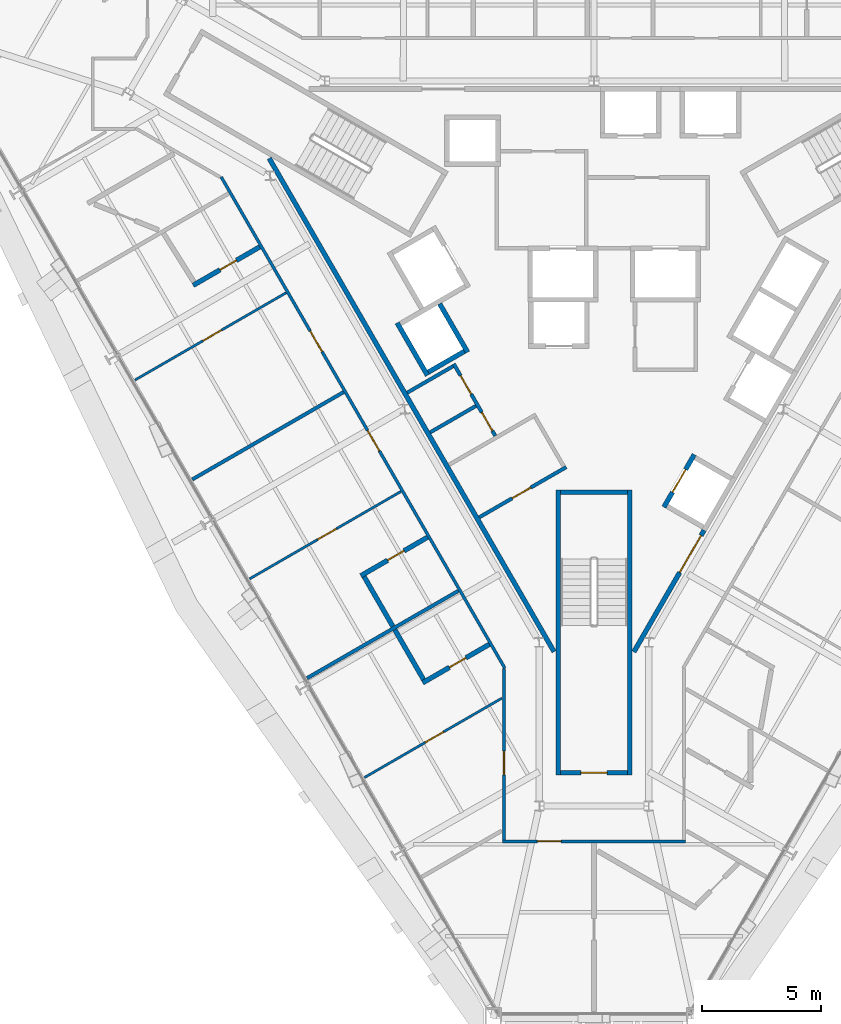
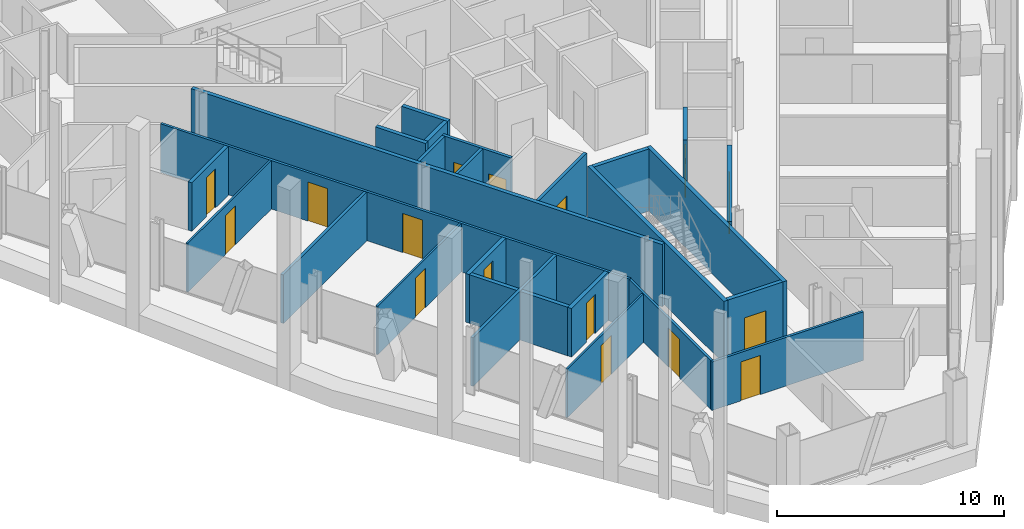
# One storey, part 10 of 16: 27 walls, 16 doors, 16 openings.
"""IFC4 building model written with IfcOpenShell, lengths in metres."""

import ifcopenshell
import ifcopenshell.guid

model = None  # the IFC model being written
_history = None  # IfcOwnerHistory: only IFC2X3 demands one
_inside = {}  # id of a spatial element -> (the spatial element, [elements in it])
_under = {}  # id of a project, library or spatial element -> (it, [spatial elements below it])
_declared = {}  # id of a project -> (the project, [libraries it declares])
_typed = {}  # id of a type object -> (the type object, [elements of that type])
_made_of = {}  # id of a material, layer set ... -> (it, [elements and type objects made of it])


def new_model(schema):
    """Start an empty IFC model of exactly this schema.

    Asked for "IFC4X3", IfcOpenShell would pick the latest addendum, in which some entities
    have other attributes; the version numbers below select the first issue.
    IFC2X3 requires an IfcOwnerHistory on every rooted entity: one is made here for all.
    """
    global model, _history
    if schema == "IFC4X3":
        model = ifcopenshell.file(schema_version=(4, 3, 0, 0))
    else:
        model = ifcopenshell.file(schema=schema)
    _inside.clear()
    _under.clear()
    _declared.clear()
    _typed.clear()
    _made_of.clear()
    _history = None
    if model.schema == "IFC2X3":
        org = make("IfcOrganization", Name="unknown")
        user = make(
            "IfcPersonAndOrganization",
            ThePerson=make("IfcPerson", FamilyName="unknown"),
            TheOrganization=org,
        )
        app = make(
            "IfcApplication",
            ApplicationDeveloper=org,
            Version="unknown",
            ApplicationFullName="unknown",
            ApplicationIdentifier="unknown",
        )
        _history = make(
            "IfcOwnerHistory",
            OwningUser=user,
            OwningApplication=app,
            ChangeAction="ADDED",
            CreationDate=0,
        )
    return model


def make(cls, **values):
    """One entity of the class cls with the attributes given. An attribute that is None is left unset."""
    return model.create_entity(
        cls, **{name: value for name, value in values.items() if value is not None}
    )


def rooted(cls, **values):
    """An entity with a GlobalId (a new one), such as an element, a storey or a relation."""
    return make(cls, GlobalId=ifcopenshell.guid.new(), OwnerHistory=_history, **values)


def si_unit(unit_type, name, prefix=None):
    """IfcSIUnit, for example si_unit("LENGTHUNIT", "METRE", prefix="MILLI")."""
    return make("IfcSIUnit", UnitType=unit_type, Prefix=prefix, Name=name)


def assignment(units):
    """IfcUnitAssignment: the units of a project."""
    return None if units is None else make("IfcUnitAssignment", Units=units)


def point(xyz):
    """IfcCartesianPoint."""
    return None if xyz is None else make("IfcCartesianPoint", Coordinates=xyz)


def direction(xyz):
    """IfcDirection."""
    return None if xyz is None else make("IfcDirection", DirectionRatios=xyz)


def frame(location, z_axis=None, x_axis=None):
    """IfcAxis2Placement3D, a coordinate frame: its origin and axes. An axis left out is left unset."""
    return make(
        "IfcAxis2Placement3D",
        Location=point(location),
        Axis=direction(z_axis),
        RefDirection=direction(x_axis),
    )


def frame_2d(location, x_axis=None):
    """IfcAxis2Placement2D, a coordinate frame in the plane: its origin and x axis."""
    return make(
        "IfcAxis2Placement2D", Location=point(location), RefDirection=direction(x_axis)
    )


def origin():
    """The frame at (0, 0, 0) with its axes left unset."""
    return frame((0.0, 0.0, 0.0))


def place(relative_to, where):
    """IfcLocalPlacement: puts the frame where relative to a parent placement (None: the world)."""
    return make(
        "IfcLocalPlacement", PlacementRelTo=relative_to, RelativePlacement=where
    )


def context(
    kind, dimensions, precision=None, world=None, true_north=None, identifier=None
):
    """IfcGeometricRepresentationContext, for example the 3D "Model" context."""
    return make(
        "IfcGeometricRepresentationContext",
        ContextIdentifier=identifier,
        ContextType=kind,
        CoordinateSpaceDimension=dimensions,
        Precision=precision,
        WorldCoordinateSystem=world,
        TrueNorth=true_north,
    )


def subcontext(parent, identifier, kind, view, scale=None):
    """IfcGeometricRepresentationSubContext, for example "Body" below "Model"."""
    return make(
        "IfcGeometricRepresentationSubContext",
        ContextIdentifier=identifier,
        ContextType=kind,
        ParentContext=parent,
        TargetScale=scale,
        TargetView=view,
    )


def project(units=None, contexts=None):
    """IfcProject with its units and contexts."""
    return rooted(
        "IfcProject",
        Name="project",
        RepresentationContexts=contexts,
        UnitsInContext=assignment(units),
    )


def spatial(cls, under=None, at=None, **own):
    """A site, building, storey or space (cls), placed at a placement, below another one or the project."""
    s = rooted(cls, ObjectPlacement=at, **own)
    if under is not None:
        _under.setdefault(under.id(), (under, []))[1].append(s)
    return s


def profile(cls, at=None, kind="AREA", **sizes):
    """A parametric profile (cls). Its sizes go by their IFC names, for example OverallWidth=200.0."""
    return make(cls, ProfileType=kind, Position=at, **sizes)


def rectangle(**sizes):
    """IfcRectangleProfileDef."""
    return profile("IfcRectangleProfileDef", **sizes)


def extrude(swept, where, along, depth):
    """IfcExtrudedAreaSolid: the profile swept, set in the frame where, extruded along a direction by depth."""
    return make(
        "IfcExtrudedAreaSolid",
        SweptArea=swept,
        Position=where,
        ExtrudedDirection=direction(along),
        Depth=depth,
    )


def shape(context_of_items, identifier, shape_type, items):
    """IfcShapeRepresentation: the items that make up one representation, for example the "Body"."""
    return make(
        "IfcShapeRepresentation",
        ContextOfItems=context_of_items,
        RepresentationIdentifier=identifier,
        RepresentationType=shape_type,
        Items=items,
    )


def material(Name=None, Category=None):
    """IfcMaterial."""
    return make("IfcMaterial", Name=Name, Category=Category)


def layer(
    of_material, thickness, ventilated=None, Name=None, Category=None, Priority=None
):
    """IfcMaterialLayer: one layer of a wall or slab, of a material (None: an air gap)."""
    return make(
        "IfcMaterialLayer",
        Material=of_material,
        LayerThickness=thickness,
        IsVentilated=ventilated,
        Name=Name,
        Category=Category,
        Priority=Priority,
    )


def layer_set(layers, Name=None):
    """IfcMaterialLayerSet."""
    return make("IfcMaterialLayerSet", MaterialLayers=layers, LayerSetName=Name)


def made_of(thing, what):
    """Note that an element or type object is made of a material, layer set ...; save() writes the relation."""
    if what is not None:
        _made_of.setdefault(what.id(), (what, []))[1].append(thing)
    return thing


def type_object(cls, material=None, **own):
    """A type object (cls), such as IfcWallType, which elements share."""
    return made_of(rooted(cls, **own), material)


def element(
    cls,
    number,
    at=None,
    inside=None,
    cuts=None,
    type_object=None,
    material=None,
    context=None,
    identifier="Body",
    shape_type=None,
    held_by="IfcProductDefinitionShape",
    body=None,
    shapes=None,
    **own,
):
    """One element of the class cls, such as IfcWall. Its Tag is "e" and its number.

    at: its placement. inside: the storey or other place that contains it. cuts: it is an
    opening in that element (IfcRelVoidsElement). A single representation is given by context,
    identifier, shape_type and body (its items); several are given by shapes. held_by: the class
    of the entity that holds the representations. save() writes the other relations.
    """
    e = rooted(cls, Tag="e%d" % number, ObjectPlacement=at, **own)
    if body is not None:
        shapes = [shape(context, identifier, shape_type, body)]
    if shapes is not None:
        e.Representation = make(held_by, Representations=shapes)
    if inside is not None:
        _inside.setdefault(inside.id(), (inside, []))[1].append(e)
    if cuts is not None:
        rooted(
            "IfcRelVoidsElement", RelatingBuildingElement=cuts, RelatedOpeningElement=e
        )
    if type_object is not None:
        _typed.setdefault(type_object.id(), (type_object, []))[1].append(e)
    return made_of(e, material)


def fill(opening, filler):
    """IfcRelFillsElement: the door or window that sits in an opening."""
    return rooted(
        "IfcRelFillsElement",
        RelatingOpeningElement=opening,
        RelatedBuildingElement=filler,
    )


def aggregate(whole, parts):
    """IfcRelAggregates: a whole, such as a stair, and the parts it consists of."""
    return rooted("IfcRelAggregates", RelatingObject=whole, RelatedObjects=parts)


def save(model, path):
    """Write the relations noted so far, then the file.

    IfcRelAggregates (storeys below a building ...), IfcRelContainedInSpatialStructure (elements
    in a storey), IfcRelDefinesByType, IfcRelAssociatesMaterial and IfcRelDeclares: one each for
    every whole, place, type object, material and project.
    """
    for whole, parts in _under.values():
        aggregate(whole, parts)
    for where, things in _inside.values():
        rooted(
            "IfcRelContainedInSpatialStructure",
            RelatedElements=things,
            RelatingStructure=where,
        )
    for kind, things in _typed.values():
        rooted("IfcRelDefinesByType", RelatedObjects=things, RelatingType=kind)
    for what, things in _made_of.values():
        rooted("IfcRelAssociatesMaterial", RelatedObjects=things, RelatingMaterial=what)
    for by, libraries in _declared.values():
        rooted("IfcRelDeclares", RelatingContext=by, RelatedDefinitions=libraries)
    model.write(path)


model = new_model("IFC4")

# Units and contexts
model_context = context("Model", 3, precision=1e-05, world=origin(), true_north=direction((0.0, 1.0)))
body_context = subcontext(model_context, "Body", "Model", "MODEL_VIEW")
ifc_project = project(units=[si_unit("LENGTHUNIT", "METRE"), si_unit("AREAUNIT", "SQUARE_METRE"), si_unit("VOLUMEUNIT", "CUBIC_METRE"), si_unit("PLANEANGLEUNIT", "RADIAN"), si_unit("MASSUNIT", "GRAM", prefix="KILO")], contexts=[model_context])

# Site, building, storey
site_placement = place(None, origin())
site = spatial("IfcSite", under=ifc_project, at=site_placement, CompositionType="ELEMENT")
building_placement = place(site_placement, origin())
building = spatial("IfcBuilding", under=site, at=building_placement, Name="Verrane Prism Tower", CompositionType="ELEMENT")
storey_placement = place(building_placement, frame((0.0, 0.0, 103.60009765625)))
storey = spatial("IfcBuildingStorey", under=building, at=storey_placement, Name="L24", CompositionType="ELEMENT", Elevation=103.60009765625)

# Wall
ifc_material_1 = material(Name="Gypsum board partition", Category="other")
ifc_layer_1 = layer(ifc_material_1, 0.199951171875)
ifc_layer_set_1 = layer_set([ifc_layer_1], Name="CW-200 core boundary wall 2 h")
wall_type_1 = type_object("IfcWallType", Name="CW-200 core boundary wall 2 h", PredefinedType="PARTITIONING", material=ifc_layer_set_1)
wall_1_placement = place(storey_placement, frame((-13.66357421875, 5.946044921875, 0.0), z_axis=(0.0, 0.0, 1.0), x_axis=(0.499994327219, -0.866028678941, 0.0)))
element("IfcWall", 1, at=wall_1_placement, inside=storey, type_object=wall_type_1, Name="Core boundary wall CW3-001", PredefinedType="PARTITIONING", context=body_context, shape_type="SweptSolid", body=[
    extrude(rectangle(XDim=23.967529296875, YDim=0.199951171875, at=frame_2d((11.98388671875, 0.0))), origin(), (0.0, 0.0, 1.0), 3.349853515625),
])

# Wall, opening, door
wall_2_placement = place(storey_placement, frame((1.677490234375, -14.814697265625, 0.0), z_axis=(0.0, 0.0, 1.0), x_axis=(0.49999445743, 0.866028603765, 0.0)))
wall_2 = element("IfcWall", 2, at=wall_2_placement, inside=storey, type_object=wall_type_1, Name="Core boundary wall CW3-003", PredefinedType="PARTITIONING", context=body_context, shape_type="SweptSolid", body=[
    extrude(rectangle(XDim=5.90478515625, YDim=0.199951171875, at=frame_2d((2.952392578125, 0.0))), origin(), (0.0, 0.0, 1.0), 3.349853515625),
])
opening_1_placement = place(wall_2_placement, frame((3.85498046875, 0.0, 0.0)))
opening_1 = element("IfcOpeningElement", 3, at=opening_1_placement, cuts=wall_2, Name="Opening D24517", PredefinedType="OPENING", context=body_context, shape_type="SweptSolid", body=[
    extrude(rectangle(XDim=1.800048828125, YDim=2.10009765625, at=frame_2d((0.89990234375, 1.050048828125))), frame((0.0, 0.10986328125, 0.0), z_axis=(0.0, -1.0, 0.0), x_axis=(1.0, 0.0, 0.0)), (0.0, 0.0, 1.0), 0.219970703125),
])
ifc_material_2 = material(Name="Timber veneered door leaf", Category="wood")
door_type_1 = type_object("IfcDoorType", Name="DR-1800x2100 FD60 double leaf lift lobby", OperationType="NOTDEFINED", PredefinedType="DOOR", material=ifc_material_2)
door_1_placement = place(opening_1_placement, origin())
door_1 = element("IfcDoor", 4, at=door_1_placement, inside=storey, type_object=door_type_1, Name="Lift lobby door D24517", OperationType="DOUBLE_DOOR_SINGLE_SWING", OverallHeight=2.10009765625, OverallWidth=1.800048828125, PredefinedType="DOOR", context=body_context, shape_type="SweptSolid", body=[
    extrude(rectangle(XDim=1.800048828125, YDim=2.10009765625, at=frame_2d((0.89990234375, 1.050048828125))), frame((0.0, 0.02490234375, 0.0), z_axis=(0.0, -1.0, 0.0), x_axis=(1.0, 0.0, 0.0)), (0.0, 0.0, 1.0), 0.050048828125),
])
fill(opening_1, door_1)

ifc_material_3 = material(Name="Concrete C40/50", Category="concrete")
ifc_layer_2 = layer(ifc_material_3, 0.199951171875)
ifc_layer_set_2 = layer_set([ifc_layer_2], Name="CW-200 stair core wall concrete C40/50 3 h")
wall_type_2 = type_object("IfcWallType", Name="CW-200 stair core wall concrete C40/50 3 h", PredefinedType="PARTITIONING", material=ifc_layer_set_2)
wall_3_placement = place(storey_placement, frame((-1.39990234375, -19.89990234375, 0.0), z_axis=(0.0, 0.0, 1.0), x_axis=(1.0, 0.0, 0.0)))
wall_3 = element("IfcWall", 5, at=wall_3_placement, inside=storey, type_object=wall_type_2, Name="Stair 3 enclosure wall", PredefinedType="PARTITIONING", context=body_context, shape_type="SweptSolid", body=[
    extrude(rectangle(XDim=2.7998046875, YDim=0.199951171875, at=frame_2d((1.39990234375, 0.0))), origin(), (0.0, 0.0, 1.0), 3.349853515625),
])
opening_2_placement = place(wall_3_placement, frame((0.85009765625, 0.0, 0.0)))
opening_2 = element("IfcOpeningElement", 6, at=opening_2_placement, cuts=wall_3, Name="Opening D24502", PredefinedType="OPENING", context=body_context, shape_type="SweptSolid", body=[
    extrude(rectangle(XDim=1.10009765625, YDim=2.10009765625, at=frame_2d((0.550048828125, 1.050048828125))), frame((0.0, 0.10986328125, 0.0), z_axis=(0.0, -1.0, 0.0), x_axis=(1.0, 0.0, 0.0)), (0.0, 0.0, 1.0), 0.219970703125),
])
ifc_material_4 = material(Name="Timber veneered door leaf", Category="wood")
door_type_2 = type_object("IfcDoorType", Name="DR-1100x2100 FD90 single leaf stair", OperationType="NOTDEFINED", PredefinedType="DOOR", material=ifc_material_4)
door_2_placement = place(opening_2_placement, origin())
door_2 = element("IfcDoor", 7, at=door_2_placement, inside=storey, type_object=door_type_2, Name="Stair 3 door", OperationType="SINGLE_SWING_LEFT", OverallHeight=2.10009765625, OverallWidth=1.10009765625, PredefinedType="DOOR", context=body_context, shape_type="SweptSolid", body=[
    extrude(rectangle(XDim=1.10009765625, YDim=2.10009765625, at=frame_2d((0.550048828125, 1.050048828125))), frame((0.0, 0.02490234375, 0.0), z_axis=(0.0, -1.0, 0.0), x_axis=(1.0, 0.0, 0.0)), (0.0, 0.0, 1.0), 0.050048828125),
])
fill(opening_2, door_2)

# Walls
for number, where, z_axis, x_axis, name in (
    (8, (1.5, -8.0, 0.0), (0.0, 0.0, 1.0), (0.0, -1.0, 0.0), "Stair 3 enclosure wall"),
    (9, (-1.5, -8.0, 0.0), (0.0, 0.0, 1.0), (0.0, -1.0, 0.0), "Stair 3 enclosure wall"),
):
    element("IfcWall", number, at=place(storey_placement, frame(where, z_axis=z_axis, x_axis=x_axis)), inside=storey, type_object=wall_type_2, Name=name, PredefinedType="PARTITIONING", context=body_context, shape_type="SweptSolid", body=[
        extrude(rectangle(XDim=12.0, YDim=0.199951171875, at=frame_2d((6.0, 0.0))), origin(), (0.0, 0.0, 1.0), 3.349853515625),
    ])
wall_4_placement = place(storey_placement, frame((-1.39990234375, -8.10009765625, 0.0), z_axis=(0.0, 0.0, 1.0), x_axis=(1.0, 0.0, 0.0)))
element("IfcWall", 10, at=wall_4_placement, inside=storey, type_object=wall_type_2, Name="Stair 3 enclosure wall", PredefinedType="PARTITIONING", context=body_context, shape_type="SweptSolid", body=[
    extrude(rectangle(XDim=2.7998046875, YDim=0.199951171875, at=frame_2d((1.39990234375, 0.0))), origin(), (0.0, 0.0, 1.0), 3.349853515625),
])
ifc_material_5 = material(Name="Gypsum board shaft wall assembly", Category="other")
ifc_layer_3 = layer(ifc_material_5, 0.199951171875)
ifc_layer_set_3 = layer_set([ifc_layer_3], Name="HW-200 lift shaft wall 2 h")
wall_type_3 = type_object("IfcWallType", Name="HW-200 lift shaft wall 2 h", PredefinedType="PARTITIONING", material=ifc_layer_set_3)
wall_5_placement = place(storey_placement, frame((-6.9697265625, -3.048095703125, 0.0), z_axis=(0.0, 0.0, 1.0), x_axis=(0.866036909293, 0.499980071345, 0.0)))
element("IfcWall", 11, at=wall_5_placement, inside=storey, type_object=wall_type_3, Name="Lift shaft wall", PredefinedType="PARTITIONING", context=body_context, shape_type="SweptSolid", body=[
    extrude(rectangle(XDim=1.75, YDim=0.199951171875, at=frame_2d((0.875, 0.0))), origin(), (0.0, 0.0, 1.0), 3.599853515625),
])

# Wall, opening, door
wall_6_placement = place(storey_placement, frame((2.941650390625, -8.724853515625, 0.0), z_axis=(0.0, 0.0, 1.0), x_axis=(0.500020783669, 0.866013403995, 0.0)))
wall_6 = element("IfcWall", 12, at=wall_6_placement, inside=storey, type_object=wall_type_3, Name="Lift shaft wall", PredefinedType="PARTITIONING", context=body_context, shape_type="SweptSolid", body=[
    extrude(rectangle(XDim=2.55029296875, YDim=0.199951171875, at=frame_2d((1.275146484375, 0.0))), origin(), (0.0, 0.0, 1.0), 3.599853515625),
])
opening_3_placement = place(wall_6_placement, frame((0.72509765625, 0.0, 0.0)))
opening_3 = element("IfcOpeningElement", 13, at=opening_3_placement, cuts=wall_6, Name="Opening D24506", PredefinedType="OPENING", context=body_context, shape_type="SweptSolid", body=[
    extrude(rectangle(XDim=1.10009765625, YDim=2.10009765625, at=frame_2d((0.550048828125, 1.050048828125))), frame((0.0, 0.10986328125, 0.0), z_axis=(0.0, -1.0, 0.0), x_axis=(1.0, 0.0, 0.0)), (0.0, 0.0, 1.0), 0.219970703125),
])
ifc_material_6 = material(Name="Stainless steel sliding landing door", Category="steel")
door_type_3 = type_object("IfcDoorType", Name="LD-1100x2100 lift landing door FD90 sliding", OperationType="NOTDEFINED", PredefinedType="DOOR", material=ifc_material_6)
door_3_placement = place(opening_3_placement, origin())
door_3 = element("IfcDoor", 14, at=door_3_placement, inside=storey, type_object=door_type_3, Name="Bank A lift 4 landing door", OperationType="SLIDING_TO_RIGHT", OverallHeight=2.10009765625, OverallWidth=1.10009765625, PredefinedType="DOOR", context=body_context, shape_type="SweptSolid", body=[
    extrude(rectangle(XDim=1.10009765625, YDim=2.10009765625, at=frame_2d((0.550048828125, 1.050048828125))), frame((0.0, 0.02490234375, 0.0), z_axis=(0.0, -1.0, 0.0), x_axis=(1.0, 0.0, 0.0)), (0.0, 0.0, 1.0), 0.050048828125),
])
fill(opening_3, door_3)

# Walls
wall_7_placement = place(storey_placement, frame((-5.317626953125, -2.209716796875, 0.0), z_axis=(0.0, 0.0, 1.0), x_axis=(-0.499938297808, 0.866061024631, 0.0)))
element("IfcWall", 15, at=wall_7_placement, inside=storey, type_object=wall_type_3, Name="Lift shaft wall", PredefinedType="PARTITIONING", context=body_context, shape_type="SweptSolid", body=[
    extrude(rectangle(XDim=2.349853515625, YDim=0.199951171875, at=frame_2d((1.1748046875, 0.0))), origin(), (0.0, 0.0, 1.0), 3.599853515625),
])
wall_8_placement = place(storey_placement, frame((-7.00634765625, -3.184814453125, 0.0), z_axis=(0.0, 0.0, 1.0), x_axis=(-0.499990435942, 0.866030925526, 0.0)))
element("IfcWall", 16, at=wall_8_placement, inside=storey, type_object=wall_type_3, Name="Lift shaft wall", PredefinedType="PARTITIONING", context=body_context, shape_type="SweptSolid", body=[
    extrude(rectangle(XDim=2.5498046875, YDim=0.199951171875, at=frame_2d((1.27490234375, 0.0))), origin(), (0.0, 0.0, 1.0), 3.599853515625),
])

# Wall, opening, door
ifc_material_7 = material(Name="Gypsum board partition", Category="other")
ifc_layer_4 = layer(ifc_material_7, 0.10009765625)
ifc_layer_set_4 = layer_set([ifc_layer_4], Name="PW-100 room partition")
wall_type_4 = type_object("IfcWallType", Name="PW-100 room partition", PredefinedType="PARTITIONING", material=ifc_layer_set_4)
wall_9_placement = place(storey_placement, frame((-19.311279296875, -3.3818359375, 0.0), z_axis=(0.0, 0.0, 1.0), x_axis=(0.865995225926, 0.500052265941, 0.0)))
wall_9 = element("IfcWall", 17, at=wall_9_placement, inside=storey, type_object=wall_type_4, Name="Room partition 012", PredefinedType="PARTITIONING", context=body_context, shape_type="SweptSolid", body=[
    extrude(rectangle(XDim=7.347412109375, YDim=0.10009765625, at=frame_2d((3.673828125, 0.0))), origin(), (0.0, 0.0, 1.0), 2.61279296875),
])
opening_4_placement = place(wall_9_placement, frame((3.303466796875, 0.0, 0.0)))
opening_4 = element("IfcOpeningElement", 18, at=opening_4_placement, cuts=wall_9, Name="Opening D24032", PredefinedType="OPENING", context=body_context, shape_type="SweptSolid", body=[
    extrude(rectangle(XDim=0.89990234375, YDim=2.10009765625, at=frame_2d((0.449951171875, 1.050048828125))), frame((0.0, 0.06005859375, 0.0), z_axis=(0.0, -1.0, 0.0), x_axis=(1.0, 0.0, 0.0)), (0.0, 0.0, 1.0), 0.1201171875),
])
ifc_material_8 = material(Name="Timber veneered door leaf", Category="wood")
door_type_4 = type_object("IfcDoorType", Name="DR-900x2100 single leaf inner", OperationType="NOTDEFINED", PredefinedType="DOOR", material=ifc_material_8)
door_4_placement = place(opening_4_placement, origin())
door_4 = element("IfcDoor", 19, at=door_4_placement, inside=storey, type_object=door_type_4, Name="Suite Living Room door", OperationType="SINGLE_SWING_RIGHT", OverallHeight=2.10009765625, OverallWidth=0.89990234375, PredefinedType="DOOR", context=body_context, shape_type="SweptSolid", body=[
    extrude(rectangle(XDim=0.89990234375, YDim=2.10009765625, at=frame_2d((0.449951171875, 1.050048828125))), frame((0.0, 0.02490234375, 0.0), z_axis=(0.0, -1.0, 0.0), x_axis=(1.0, 0.0, 0.0)), (0.0, 0.0, 1.0), 0.050048828125),
])
fill(opening_4, door_4)

wall_10_placement = place(storey_placement, frame((-8.1171875, -8.066162109375, 0.0), z_axis=(0.0, 0.0, 1.0), x_axis=(-0.866052324842, -0.499953368461, 0.0)))
wall_10 = element("IfcWall", 20, at=wall_10_placement, inside=storey, type_object=wall_type_4, Name="Room partition 024", PredefinedType="PARTITIONING", context=body_context, shape_type="SweptSolid", body=[
    extrude(rectangle(XDim=7.352294921875, YDim=0.10009765625, at=frame_2d((3.67626953125, 0.0))), origin(), (0.0, 0.0, 1.0), 2.61279296875),
])
opening_5_placement = place(wall_10_placement, frame((3.1484375, 0.0, 0.0)))
opening_5 = element("IfcOpeningElement", 21, at=opening_5_placement, cuts=wall_10, Name="Opening D24035", PredefinedType="OPENING", context=body_context, shape_type="SweptSolid", body=[
    extrude(rectangle(XDim=0.89990234375, YDim=2.10009765625, at=frame_2d((0.449951171875, 1.050048828125))), frame((0.0, 0.06005859375, 0.0), z_axis=(0.0, -1.0, 0.0), x_axis=(1.0, 0.0, 0.0)), (0.0, 0.0, 1.0), 0.1201171875),
])
door_5_placement = place(opening_5_placement, origin())
door_5 = element("IfcDoor", 22, at=door_5_placement, inside=storey, type_object=door_type_4, Name="Suite Living Room door", OperationType="SINGLE_SWING_RIGHT", OverallHeight=2.10009765625, OverallWidth=0.89990234375, PredefinedType="DOOR", context=body_context, shape_type="SweptSolid", body=[
    extrude(rectangle(XDim=0.89990234375, YDim=2.10009765625, at=frame_2d((0.449951171875, 1.050048828125))), frame((0.0, 0.02490234375, 0.0), z_axis=(0.0, -1.0, 0.0), x_axis=(1.0, 0.0, 0.0)), (0.0, 0.0, 1.0), 0.050048828125),
])
fill(opening_5, door_5)

wall_11_placement = place(storey_placement, frame((-9.6572265625, -20.102783203125, 0.0), z_axis=(0.0, 0.0, 1.0), x_axis=(0.865979781901, 0.500079011097, 0.0)))
wall_11 = element("IfcWall", 23, at=wall_11_placement, inside=storey, type_object=wall_type_4, Name="Room partition 030", PredefinedType="PARTITIONING", context=body_context, shape_type="SweptSolid", body=[
    extrude(rectangle(XDim=6.677734375, YDim=0.10009765625, at=frame_2d((3.3388671875, 0.0))), origin(), (0.0, 0.0, 1.0), 2.61279296875),
])
opening_6_placement = place(wall_11_placement, frame((2.953369140625, 0.0, 0.0)))
opening_6 = element("IfcOpeningElement", 24, at=opening_6_placement, cuts=wall_11, Name="Opening D24038", PredefinedType="OPENING", context=body_context, shape_type="SweptSolid", body=[
    extrude(rectangle(XDim=0.89990234375, YDim=2.10009765625, at=frame_2d((0.449951171875, 1.050048828125))), frame((0.0, 0.06005859375, 0.0), z_axis=(0.0, -1.0, 0.0), x_axis=(1.0, 0.0, 0.0)), (0.0, 0.0, 1.0), 0.1201171875),
])
door_6_placement = place(opening_6_placement, origin())
door_6 = element("IfcDoor", 25, at=door_6_placement, inside=storey, type_object=door_type_4, Name="Suite Living Room door", OperationType="SINGLE_SWING_RIGHT", OverallHeight=2.10009765625, OverallWidth=0.89990234375, PredefinedType="DOOR", context=body_context, shape_type="SweptSolid", body=[
    extrude(rectangle(XDim=0.89990234375, YDim=2.10009765625, at=frame_2d((0.449951171875, 1.050048828125))), frame((0.0, 0.02490234375, 0.0), z_axis=(0.0, -1.0, 0.0), x_axis=(1.0, 0.0, 0.0)), (0.0, 0.0, 1.0), 0.050048828125),
])
fill(opening_6, door_6)

# Wall, openings, doors
ifc_material_9 = material(Name="Gypsum board partition", Category="other")
ifc_layer_5 = layer(ifc_material_9, 0.125)
ifc_layer_set_5 = layer_set([ifc_layer_5], Name="PW-125 corridor wall 1 h")
wall_type_5 = type_object("IfcWallType", Name="PW-125 corridor wall 1 h", PredefinedType="PARTITIONING", material=ifc_layer_set_5)
wall_12_placement = place(storey_placement, frame((-3.755859375, -15.494140625, 0.0), z_axis=(0.0, 0.0, 1.0), x_axis=(-0.500027787016, 0.866009360349, 0.0)))
wall_12 = element("IfcWall", 26, at=wall_12_placement, inside=storey, type_object=wall_type_5, Name="Corridor wall 023", PredefinedType="PARTITIONING", context=body_context, shape_type="SweptSolid", body=[
    extrude(rectangle(XDim=23.855712890625, YDim=0.125, at=frame_2d((11.927734375, 0.0))), origin(), (0.0, 0.0, 1.0), 2.61279296875),
])
opening_7_placement = place(wall_12_placement, frame((15.3681640625, 0.0, 0.0)))
opening_7 = element("IfcOpeningElement", 27, at=opening_7_placement, cuts=wall_12, Name="Opening D24031", PredefinedType="OPENING", context=body_context, shape_type="SweptSolid", body=[
    extrude(rectangle(XDim=1.0, YDim=2.10009765625, at=frame_2d((0.5, 1.050048828125))), frame((0.0, 0.072509765625, 0.0), z_axis=(0.0, -1.0, 0.0), x_axis=(1.0, 0.0, 0.0)), (0.0, 0.0, 1.0), 0.14501953125),
])
opening_8_placement = place(wall_12_placement, frame((10.540283203125, 0.0, 0.0)))
opening_8 = element("IfcOpeningElement", 28, at=opening_8_placement, cuts=wall_12, Name="Opening D24034", PredefinedType="OPENING", context=body_context, shape_type="SweptSolid", body=[
    extrude(rectangle(XDim=1.0, YDim=2.10009765625, at=frame_2d((0.5, 1.050048828125))), frame((0.0, 0.072509765625, 0.0), z_axis=(0.0, -1.0, 0.0), x_axis=(1.0, 0.0, 0.0)), (0.0, 0.0, 1.0), 0.14501953125),
])
ifc_material_10 = material(Name="Timber veneered door leaf", Category="wood")
door_type_5 = type_object("IfcDoorType", Name="DR-1000x2100 FD20 single leaf unit", OperationType="NOTDEFINED", PredefinedType="DOOR", material=ifc_material_10)
door_7_placement = place(opening_7_placement, origin())
door_7 = element("IfcDoor", 29, at=door_7_placement, inside=storey, type_object=door_type_5, Name="Suite Living Room door", OperationType="SINGLE_SWING_RIGHT", OverallHeight=2.10009765625, OverallWidth=1.0, PredefinedType="DOOR", context=body_context, shape_type="SweptSolid", body=[
    extrude(rectangle(XDim=1.0, YDim=2.10009765625, at=frame_2d((0.5, 1.050048828125))), frame((0.0, 0.02490234375, 0.0), z_axis=(0.0, -1.0, 0.0), x_axis=(1.0, 0.0, 0.0)), (0.0, 0.0, 1.0), 0.050048828125),
])
fill(opening_7, door_7)
door_8_placement = place(opening_8_placement, origin())
door_8 = element("IfcDoor", 30, at=door_8_placement, inside=storey, type_object=door_type_5, Name="Suite Living Room door", OperationType="SINGLE_SWING_LEFT", OverallHeight=2.10009765625, OverallWidth=1.0, PredefinedType="DOOR", context=body_context, shape_type="SweptSolid", body=[
    extrude(rectangle(XDim=1.0, YDim=2.10009765625, at=frame_2d((0.5, 1.050048828125))), frame((0.0, 0.02490234375, 0.0), z_axis=(0.0, -1.0, 0.0), x_axis=(1.0, 0.0, 0.0)), (0.0, 0.0, 1.0), 0.050048828125),
])
fill(opening_8, door_8)

# Wall, opening, door
wall_13_placement = place(storey_placement, frame((-3.787109375, -22.721923828125, 0.0), z_axis=(0.0, 0.0, 1.0), x_axis=(0.0, 1.0, 0.0)))
wall_13 = element("IfcWall", 31, at=wall_13_placement, inside=storey, type_object=wall_type_5, Name="Corridor wall 037", PredefinedType="PARTITIONING", context=body_context, shape_type="SweptSolid", body=[
    extrude(rectangle(XDim=7.197021484375, YDim=0.125, at=frame_2d((3.5986328125, 0.0))), origin(), (0.0, 0.0, 1.0), 2.61279296875),
])
opening_9_placement = place(wall_13_placement, frame((2.735107421875, 0.0, 0.0)))
opening_9 = element("IfcOpeningElement", 32, at=opening_9_placement, cuts=wall_13, Name="Opening D24037", PredefinedType="OPENING", context=body_context, shape_type="SweptSolid", body=[
    extrude(rectangle(XDim=1.0, YDim=2.10009765625, at=frame_2d((0.5, 1.050048828125))), frame((0.0, 0.072509765625, 0.0), z_axis=(0.0, -1.0, 0.0), x_axis=(1.0, 0.0, 0.0)), (0.0, 0.0, 1.0), 0.14501953125),
])
door_9_placement = place(opening_9_placement, origin())
door_9 = element("IfcDoor", 33, at=door_9_placement, inside=storey, type_object=door_type_5, Name="Suite Living Room door", OperationType="SINGLE_SWING_LEFT", OverallHeight=2.10009765625, OverallWidth=1.0, PredefinedType="DOOR", context=body_context, shape_type="SweptSolid", body=[
    extrude(rectangle(XDim=1.0, YDim=2.10009765625, at=frame_2d((0.5, 1.050048828125))), frame((0.0, 0.02490234375, 0.0), z_axis=(0.0, -1.0, 0.0), x_axis=(1.0, 0.0, 0.0)), (0.0, 0.0, 1.0), 0.050048828125),
])
fill(opening_9, door_9)

wall_14_placement = place(storey_placement, frame((3.849609375, -22.787109375, 0.0), z_axis=(0.0, 0.0, 1.0), x_axis=(-1.0, 0.0, 0.0)))
wall_14 = element("IfcWall", 34, at=wall_14_placement, inside=storey, type_object=wall_type_5, Name="Corridor wall 038", PredefinedType="PARTITIONING", context=body_context, shape_type="SweptSolid", body=[
    extrude(rectangle(XDim=7.69921875, YDim=0.125, at=frame_2d((3.849609375, 0.0))), origin(), (0.0, 0.0, 1.0), 2.61279296875),
])
opening_10_placement = place(wall_14_placement, frame((5.236572265625, 0.0, 0.0)))
opening_10 = element("IfcOpeningElement", 35, at=opening_10_placement, cuts=wall_14, Name="Opening D24040", PredefinedType="OPENING", context=body_context, shape_type="SweptSolid", body=[
    extrude(rectangle(XDim=1.0, YDim=2.10009765625, at=frame_2d((0.5, 1.050048828125))), frame((0.0, 0.072509765625, 0.0), z_axis=(0.0, -1.0, 0.0), x_axis=(1.0, 0.0, 0.0)), (0.0, 0.0, 1.0), 0.14501953125),
])
door_10_placement = place(opening_10_placement, origin())
door_10 = element("IfcDoor", 36, at=door_10_placement, inside=storey, type_object=door_type_5, Name="Suite Living Room door", OperationType="SINGLE_SWING_LEFT", OverallHeight=2.10009765625, OverallWidth=1.0, PredefinedType="DOOR", context=body_context, shape_type="SweptSolid", body=[
    extrude(rectangle(XDim=1.0, YDim=2.10009765625, at=frame_2d((0.5, 1.050048828125))), frame((0.0, 0.02490234375, 0.0), z_axis=(0.0, -1.0, 0.0), x_axis=(1.0, 0.0, 0.0)), (0.0, 0.0, 1.0), 0.050048828125),
])
fill(opening_10, door_10)

# Walls
ifc_material_11 = material(Name="Gypsum board partition", Category="other")
ifc_layer_6 = layer(ifc_material_11, 0.14990234375)
ifc_layer_set_6 = layer_set([ifc_layer_6], Name="PW-150 demising wall 1 h")
wall_type_6 = type_object("IfcWallType", Name="PW-150 demising wall 1 h", PredefinedType="PARTITIONING", material=ifc_layer_set_6)
wall_15_placement = place(storey_placement, frame((-16.897705078125, -7.56201171875, 0.0), z_axis=(0.0, 0.0, 1.0), x_axis=(0.866055004685, 0.499948726231, 0.0)))
element("IfcWall", 37, at=wall_15_placement, inside=storey, type_object=wall_type_6, Name="Demising wall 018", PredefinedType="PARTITIONING", context=body_context, shape_type="SweptSolid", body=[
    extrude(rectangle(XDim=7.347412109375, YDim=0.14990234375, at=frame_2d((3.673828125, 0.0))), origin(), (0.0, 0.0, 1.0), 2.61279296875),
])
wall_16_placement = place(storey_placement, frame((-12.071044921875, -15.922119140625, 0.0), z_axis=(0.0, 0.0, 1.0), x_axis=(0.866063309627, 0.499934339407, 0.0)))
element("IfcWall", 38, at=wall_16_placement, inside=storey, type_object=wall_type_6, Name="Demising wall 026", PredefinedType="PARTITIONING", context=body_context, shape_type="SweptSolid", body=[
    extrude(rectangle(XDim=7.34765625, YDim=0.14990234375, at=frame_2d((3.673828125, 0.0))), origin(), (0.0, 0.0, 1.0), 2.61279296875),
])

# Wall, opening, door
ifc_material_12 = material(Name="Gypsum board partition", Category="other")
ifc_layer_7 = layer(ifc_material_12, 0.199951171875)
ifc_layer_set_7 = layer_set([ifc_layer_7], Name="PW-200 plumbing wall")
wall_type_7 = type_object("IfcWallType", Name="PW-200 plumbing wall", PredefinedType="PARTITIONING", material=ifc_layer_set_7)
wall_17_placement = place(storey_placement, frame((-16.860595703125, 0.60400390625, 0.0), z_axis=(0.0, 0.0, 1.0), x_axis=(0.866003189247, 0.500038474733, 0.0)))
wall_17 = element("IfcWall", 39, at=wall_17_placement, inside=storey, type_object=wall_type_7, Name="Plumbing wall 019", PredefinedType="PARTITIONING", context=body_context, shape_type="SweptSolid", body=[
    extrude(rectangle(XDim=3.232177734375, YDim=0.199951171875, at=frame_2d((1.6162109375, 0.0))), origin(), (0.0, 0.0, 1.0), 2.61279296875),
])
opening_11_placement = place(wall_17_placement, frame((1.300048828125, 0.0, 0.0)))
opening_11 = element("IfcOpeningElement", 40, at=opening_11_placement, cuts=wall_17, Name="Opening D24033", PredefinedType="OPENING", context=body_context, shape_type="SweptSolid", body=[
    extrude(rectangle(XDim=0.800048828125, YDim=2.10009765625, at=frame_2d((0.39990234375, 1.050048828125))), frame((0.0, 0.10986328125, 0.0), z_axis=(0.0, -1.0, 0.0), x_axis=(1.0, 0.0, 0.0)), (0.0, 0.0, 1.0), 0.219970703125),
])
ifc_material_13 = material(Name="Timber veneered door leaf", Category="wood")
door_type_6 = type_object("IfcDoorType", Name="DR-800x2100 single leaf bath", OperationType="NOTDEFINED", PredefinedType="DOOR", material=ifc_material_13)
door_11_placement = place(opening_11_placement, origin())
door_11 = element("IfcDoor", 41, at=door_11_placement, inside=storey, type_object=door_type_6, Name="En-Suite door", OperationType="SINGLE_SWING_LEFT", OverallHeight=2.10009765625, OverallWidth=0.800048828125, PredefinedType="DOOR", context=body_context, shape_type="SweptSolid", body=[
    extrude(rectangle(XDim=0.800048828125, YDim=2.10009765625, at=frame_2d((0.39990234375, 1.050048828125))), frame((0.0, 0.02490234375, 0.0), z_axis=(0.0, -1.0, 0.0), x_axis=(1.0, 0.0, 0.0)), (0.0, 0.0, 1.0), 0.050048828125),
])
fill(opening_11, door_11)

# Wall
wall_18_placement = place(storey_placement, frame((-9.6708984375, -11.649658203125, 0.0), z_axis=(0.0, 0.0, 1.0), x_axis=(0.50002218001, -0.866012597771, 0.0)))
element("IfcWall", 42, at=wall_18_placement, inside=storey, type_object=wall_type_7, Name="Plumbing wall 028", PredefinedType="PARTITIONING", context=body_context, shape_type="SweptSolid", body=[
    extrude(rectangle(XDim=2.4208984375, YDim=0.199951171875, at=frame_2d((1.21044921875, 0.0))), origin(), (0.0, 0.0, 1.0), 2.61279296875),
])

# Wall, opening, door
wall_19_placement = place(storey_placement, frame((-7.007568359375, -9.996826171875, 0.0), z_axis=(0.0, 0.0, 1.0), x_axis=(-0.866078705744, -0.499907666931, 0.0)))
wall_19 = element("IfcWall", 43, at=wall_19_placement, inside=storey, type_object=wall_type_7, Name="Plumbing wall 029", PredefinedType="PARTITIONING", context=body_context, shape_type="SweptSolid", body=[
    extrude(rectangle(XDim=3.23291015625, YDim=0.199951171875, at=frame_2d((1.616455078125, 0.0))), origin(), (0.0, 0.0, 1.0), 2.61279296875),
])
opening_12_placement = place(wall_19_placement, frame((1.133056640625, 0.0, 0.0)))
opening_12 = element("IfcOpeningElement", 44, at=opening_12_placement, cuts=wall_19, Name="Opening D24036", PredefinedType="OPENING", context=body_context, shape_type="SweptSolid", body=[
    extrude(rectangle(XDim=0.800048828125, YDim=2.10009765625, at=frame_2d((0.39990234375, 1.050048828125))), frame((0.0, 0.10986328125, 0.0), z_axis=(0.0, -1.0, 0.0), x_axis=(1.0, 0.0, 0.0)), (0.0, 0.0, 1.0), 0.219970703125),
])
door_12_placement = place(opening_12_placement, origin())
door_12 = element("IfcDoor", 45, at=door_12_placement, inside=storey, type_object=door_type_6, Name="En-Suite door", OperationType="SINGLE_SWING_LEFT", OverallHeight=2.10009765625, OverallWidth=0.800048828125, PredefinedType="DOOR", context=body_context, shape_type="SweptSolid", body=[
    extrude(rectangle(XDim=0.800048828125, YDim=2.10009765625, at=frame_2d((0.39990234375, 1.050048828125))), frame((0.0, 0.02490234375, 0.0), z_axis=(0.0, -1.0, 0.0), x_axis=(1.0, 0.0, 0.0)), (0.0, 0.0, 1.0), 0.050048828125),
])
fill(opening_12, door_12)

# Wall
wall_20_placement = place(storey_placement, frame((-8.380615234375, -13.884033203125, 0.0), z_axis=(0.0, 0.0, 1.0), x_axis=(0.499795219151, -0.866143601786, 0.0)))
element("IfcWall", 46, at=wall_20_placement, inside=storey, type_object=wall_type_7, Name="Plumbing wall 031", PredefinedType="PARTITIONING", context=body_context, shape_type="SweptSolid", body=[
    extrude(rectangle(XDim=2.42041015625, YDim=0.199951171875, at=frame_2d((1.210205078125, 0.0))), origin(), (0.0, 0.0, 1.0), 2.61279296875),
])

# Wall, opening, door
wall_21_placement = place(storey_placement, frame((-7.20751953125, -16.116943359375, 0.0), z_axis=(0.0, 0.0, 1.0), x_axis=(0.866091428368, 0.499885624626, 0.0)))
wall_21 = element("IfcWall", 47, at=wall_21_placement, inside=storey, type_object=wall_type_7, Name="Plumbing wall 033", PredefinedType="PARTITIONING", context=body_context, shape_type="SweptSolid", body=[
    extrude(rectangle(XDim=3.238037109375, YDim=0.199951171875, at=frame_2d((1.619140625, 0.0))), origin(), (0.0, 0.0, 1.0), 2.61279296875),
])
opening_13_placement = place(wall_21_placement, frame((1.300048828125, 0.0, 0.0)))
opening_13 = element("IfcOpeningElement", 48, at=opening_13_placement, cuts=wall_21, Name="Opening D24039", PredefinedType="OPENING", context=body_context, shape_type="SweptSolid", body=[
    extrude(rectangle(XDim=0.800048828125, YDim=2.10009765625, at=frame_2d((0.39990234375, 1.050048828125))), frame((0.0, 0.10986328125, 0.0), z_axis=(0.0, -1.0, 0.0), x_axis=(1.0, 0.0, 0.0)), (0.0, 0.0, 1.0), 0.219970703125),
])
door_13_placement = place(opening_13_placement, origin())
door_13 = element("IfcDoor", 49, at=door_13_placement, inside=storey, type_object=door_type_6, Name="En-Suite door", OperationType="SINGLE_SWING_LEFT", OverallHeight=2.10009765625, OverallWidth=0.800048828125, PredefinedType="DOOR", context=body_context, shape_type="SweptSolid", body=[
    extrude(rectangle(XDim=0.800048828125, YDim=2.10009765625, at=frame_2d((0.39990234375, 1.050048828125))), frame((0.0, 0.02490234375, 0.0), z_axis=(0.0, -1.0, 0.0), x_axis=(1.0, 0.0, 0.0)), (0.0, 0.0, 1.0), 0.050048828125),
])
fill(opening_13, door_13)

# Walls
ifc_material_14 = material(Name="Gypsum board partition", Category="other")
ifc_layer_8 = layer(ifc_material_14, 0.14990234375)
ifc_layer_set_8 = layer_set([ifc_layer_8], Name="RS-150 riser enclosure wall 1 h")
wall_type_8 = type_object("IfcWallType", Name="RS-150 riser enclosure wall 1 h", PredefinedType="PARTITIONING", material=ifc_layer_set_8)
wall_22_placement = place(storey_placement, frame((-7.8564453125, -3.912109375, 0.0), z_axis=(0.0, 0.0, 1.0), x_axis=(0.865971748, 0.500092923031, 0.0)))
element("IfcWall", 50, at=wall_22_placement, inside=storey, type_object=wall_type_8, Name="Riser wall RS3-001", PredefinedType="PARTITIONING", context=body_context, shape_type="SweptSolid", body=[
    extrude(rectangle(XDim=2.224609375, YDim=0.14990234375, at=frame_2d((1.1123046875, 0.0))), origin(), (0.0, 0.0, 1.0), 3.349853515625),
])
wall_23_placement = place(storey_placement, frame((-6.892333984375, -5.58203125, 0.0), z_axis=(0.0, 0.0, 1.0), x_axis=(0.865944298464, 0.500140452231, 0.0)))
element("IfcWall", 51, at=wall_23_placement, inside=storey, type_object=wall_type_8, Name="Riser wall RS3-002", PredefinedType="PARTITIONING", context=body_context, shape_type="SweptSolid", body=[
    extrude(rectangle(XDim=2.224365234375, YDim=0.14990234375, at=frame_2d((1.1123046875, 0.0))), origin(), (0.0, 0.0, 1.0), 3.349853515625),
])

# Wall, openings, doors
wall_24_placement = place(storey_placement, frame((-4.152099609375, -5.728759765625, 0.0), z_axis=(0.0, 0.0, 1.0), x_axis=(-0.500024287448, 0.866011380966, 0.0)))
wall_24 = element("IfcWall", 52, at=wall_24_placement, inside=storey, type_object=wall_type_8, Name="Riser wall RS3-004", PredefinedType="PARTITIONING", context=body_context, shape_type="SweptSolid", body=[
    extrude(rectangle(XDim=3.500732421875, YDim=0.14990234375, at=frame_2d((1.75048828125, 0.0))), origin(), (0.0, 0.0, 1.0), 3.349853515625),
])
opening_14_placement = place(wall_24_placement, frame((2.025634765625, 0.0, 0.0)))
opening_14 = element("IfcOpeningElement", 53, at=opening_14_placement, cuts=wall_24, Name="Opening D24512", PredefinedType="OPENING", context=body_context, shape_type="SweptSolid", body=[
    extrude(rectangle(XDim=0.89990234375, YDim=2.10009765625, at=frame_2d((0.449951171875, 1.050048828125))), frame((0.0, 0.0849609375, 0.0), z_axis=(0.0, -1.0, 0.0), x_axis=(1.0, 0.0, 0.0)), (0.0, 0.0, 1.0), 0.169921875),
])
opening_15_placement = place(wall_24_placement, frame((0.247802734375, 0.0, 0.0)))
opening_15 = element("IfcOpeningElement", 54, at=opening_15_placement, cuts=wall_24, Name="Opening D24513", PredefinedType="OPENING", context=body_context, shape_type="SweptSolid", body=[
    extrude(rectangle(XDim=0.89990234375, YDim=2.10009765625, at=frame_2d((0.449951171875, 1.050048828125))), frame((0.0, 0.0849609375, 0.0), z_axis=(0.0, -1.0, 0.0), x_axis=(1.0, 0.0, 0.0)), (0.0, 0.0, 1.0), 0.169921875),
])
ifc_material_15 = material(Name="Timber veneered door leaf", Category="wood")
door_type_7 = type_object("IfcDoorType", Name="DR-900x2100 FD60 single leaf riser", OperationType="NOTDEFINED", PredefinedType="DOOR", material=ifc_material_15)
door_14_placement = place(opening_14_placement, origin())
door_14 = element("IfcDoor", 55, at=door_14_placement, inside=storey, type_object=door_type_7, Name="Riser door D24512", OperationType="SINGLE_SWING_RIGHT", OverallHeight=2.10009765625, OverallWidth=0.89990234375, PredefinedType="DOOR", context=body_context, shape_type="SweptSolid", body=[
    extrude(rectangle(XDim=0.89990234375, YDim=2.10009765625, at=frame_2d((0.449951171875, 1.050048828125))), frame((0.0, 0.02490234375, 0.0), z_axis=(0.0, -1.0, 0.0), x_axis=(1.0, 0.0, 0.0)), (0.0, 0.0, 1.0), 0.050048828125),
])
fill(opening_14, door_14)
door_15_placement = place(opening_15_placement, origin())
door_15 = element("IfcDoor", 56, at=door_15_placement, inside=storey, type_object=door_type_7, Name="Riser door D24513", OperationType="SINGLE_SWING_LEFT", OverallHeight=2.10009765625, OverallWidth=0.89990234375, PredefinedType="DOOR", context=body_context, shape_type="SweptSolid", body=[
    extrude(rectangle(XDim=0.89990234375, YDim=2.10009765625, at=frame_2d((0.449951171875, 1.050048828125))), frame((0.0, 0.02490234375, 0.0), z_axis=(0.0, -1.0, 0.0), x_axis=(1.0, 0.0, 0.0)), (0.0, 0.0, 1.0), 0.050048828125),
])
fill(opening_15, door_15)

# Wall, opening, door
wall_25_placement = place(storey_placement, frame((-4.824951171875, -9.153564453125, 0.0), z_axis=(0.0, 0.0, 1.0), x_axis=(0.866023738697, 0.500002884005, 0.0)))
wall_25 = element("IfcWall", 57, at=wall_25_placement, inside=storey, type_object=wall_type_8, Name="Riser wall RS3-005", PredefinedType="PARTITIONING", context=body_context, shape_type="SweptSolid", body=[
    extrude(rectangle(XDim=4.22021484375, YDim=0.14990234375, at=frame_2d((2.110107421875, 0.0))), origin(), (0.0, 0.0, 1.0), 3.349853515625),
])
opening_16_placement = place(wall_25_placement, frame((1.594970703125, 0.0, 0.0)))
opening_16 = element("IfcOpeningElement", 58, at=opening_16_placement, cuts=wall_25, Name="Opening D24514", PredefinedType="OPENING", context=body_context, shape_type="SweptSolid", body=[
    extrude(rectangle(XDim=0.89990234375, YDim=2.10009765625, at=frame_2d((0.449951171875, 1.050048828125))), frame((0.0, 0.0849609375, 0.0), z_axis=(0.0, -1.0, 0.0), x_axis=(1.0, 0.0, 0.0)), (0.0, 0.0, 1.0), 0.169921875),
])
ifc_material_16 = material(Name="Timber veneered door leaf", Category="wood")
door_type_8 = type_object("IfcDoorType", Name="DR-900x2100 FD20 single leaf store", OperationType="NOTDEFINED", PredefinedType="DOOR", material=ifc_material_16)
door_16_placement = place(opening_16_placement, origin())
door_16 = element("IfcDoor", 59, at=door_16_placement, inside=storey, type_object=door_type_8, Name="Room door D24514", OperationType="SINGLE_SWING_LEFT", OverallHeight=2.10009765625, OverallWidth=0.89990234375, PredefinedType="DOOR", context=body_context, shape_type="SweptSolid", body=[
    extrude(rectangle(XDim=0.89990234375, YDim=2.10009765625, at=frame_2d((0.449951171875, 1.050048828125))), frame((0.0, 0.02490234375, 0.0), z_axis=(0.0, -1.0, 0.0), x_axis=(1.0, 0.0, 0.0)), (0.0, 0.0, 1.0), 0.050048828125),
])
fill(opening_16, door_16)

save(model, "model.ifc")
